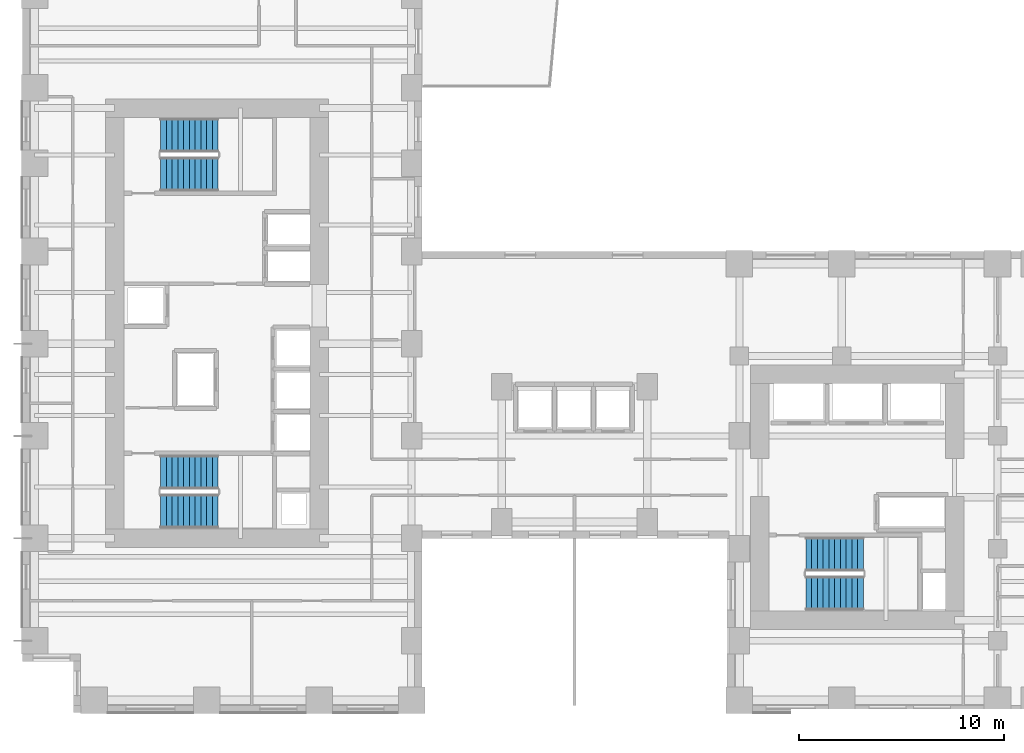
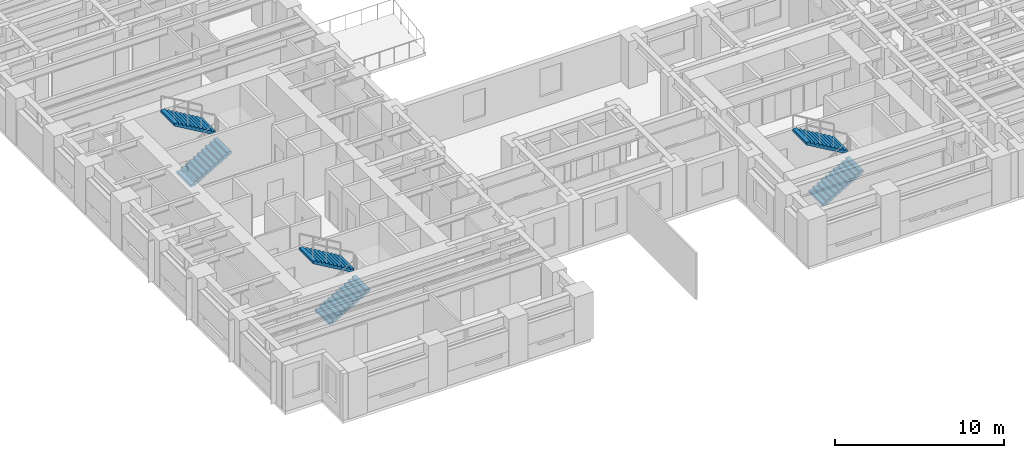
# One storey, part 10 of 12: 6 stair flights, 3 elements without a shape of their own.
"""IFC4 building model written with IfcOpenShell, lengths in metres."""

from ifc_helpers import new_model, si_unit, direction, frame, origin, place, context, subcontext, project, spatial, polyline, outline, extrude, source, transform, mapped, material, type_object, element, aggregate, save


model = new_model("IFC4")

# Units and contexts
model_context = context("Model", 3, precision=1e-05, world=origin(), true_north=direction((0.0, 1.0)))
body_context = subcontext(model_context, "Body", "Model", "MODEL_VIEW")
ifc_project = project(units=[si_unit("LENGTHUNIT", "METRE"), si_unit("AREAUNIT", "SQUARE_METRE"), si_unit("VOLUMEUNIT", "CUBIC_METRE"), si_unit("PLANEANGLEUNIT", "RADIAN"), si_unit("MASSUNIT", "GRAM", prefix="KILO")], contexts=[model_context])

# Site, building, storey
site_placement = place(None, origin())
site = spatial("IfcSite", under=ifc_project, at=site_placement, CompositionType="ELEMENT")
building_placement = place(site_placement, origin())
building = spatial("IfcBuilding", under=site, at=building_placement, Name="Kharzan Plaza Tower", CompositionType="ELEMENT")
storey_placement = place(building_placement, frame((0.0, 0.0, 26.10009765625)))
storey = spatial("IfcBuildingStorey", under=building, at=storey_placement, Name="L06", CompositionType="ELEMENT", Elevation=26.10009765625)

# Stair, stair flights
ifc_material = material(Name="Concrete C40/50", Category="concrete")
stair_type_1 = type_object("IfcStairType", Name="STR-ST-1", PredefinedType="HALF_TURN_STAIR", material=ifc_material)
stair_1_placement = place(storey_placement, origin())
stair_1 = element("IfcStair", 1, at=stair_1_placement, inside=storey, type_object=stair_type_1, Name="L06 Protected Exit Stair ST-1", PredefinedType="HALF_TURN_STAIR")
stair_flight_type = type_object("IfcStairFlightType", Name="SFL-1650-R173", PredefinedType="STRAIGHT", material=ifc_material)
shared_shape = source(origin(), body_context, "Body", "SweptSolid", [
    extrude(outline(polyline([(-0.0029296875, -0.011962890625), (-0.0029296875, 0.0), (0.0, 0.0), (0.0, 0.16357421875), (0.280029296875, 0.16357421875), (0.280029296875, 0.3271484375), (0.56005859375, 0.3271484375), (0.56005859375, 0.49072265625), (0.840087890625, 0.49072265625), (0.840087890625, 0.654296875), (1.1201171875, 0.654296875), (1.1201171875, 0.81787109375), (1.400146484375, 0.81787109375), (1.400146484375, 0.9814453125), (1.68017578125, 0.9814453125), (1.68017578125, 1.14501953125), (1.960205078125, 1.14501953125), (1.960205078125, 1.30859375), (2.240234375, 1.30859375), (2.240234375, 1.47216796875), (2.520263671875, 1.47216796875), (2.520263671875, 1.6357421875), (2.80029296875, 1.6357421875), (2.80029296875, 1.79931640625), (2.80029296875, 1.462158203125), (0.297119140625, 0.0), (0.297119140625, -0.011962890625), (-0.0029296875, -0.011962890625)])), frame((0.0, 0.824951171875, 0.0), z_axis=(0.0, -1.0, 0.0), x_axis=(1.0, 0.0, 0.0)), (0.0, 0.0, 1.0), 1.64990234375),
])
stair_flight_1_placement = place(storey_placement, frame((6.75, 9.824951171875, 0.0), z_axis=(0.0, 0.0, 1.0), x_axis=(1.0, 0.0, 0.0)))
stair_flight_1 = element("IfcStairFlight", 2, at=stair_flight_1_placement, type_object=stair_flight_type, Name="ST-1 flight 1", NumberOfRisers=11, NumberOfTreads=10, PredefinedType="STRAIGHT", RiserHeight=0.163636364, TreadLength=0.28, context=body_context, shape_type="MappedRepresentation", body=[
    mapped(shared_shape, transform((0.0, 0.0, 0.0), x_axis=(1.0, 0.0, 0.0), y_axis=(0.0, 1.0, 0.0), z_axis=(0.0, 0.0, 1.0))),
])
stair_flight_2_placement = place(storey_placement, frame((9.550048828125, 11.72509765625, 1.7998046875), z_axis=(0.0, 0.0, 1.0), x_axis=(-1.0, 0.0, 0.0)))
stair_flight_2 = element("IfcStairFlight", 3, at=stair_flight_2_placement, type_object=stair_flight_type, Name="ST-1 flight 2", NumberOfRisers=11, NumberOfTreads=10, PredefinedType="STRAIGHT", RiserHeight=0.163636364, TreadLength=0.28, context=body_context, shape_type="MappedRepresentation", body=[
    mapped(shared_shape, transform((0.0, 0.0, 0.0), x_axis=(1.0, 0.0, 0.0), y_axis=(0.0, 1.0, 0.0), z_axis=(0.0, 0.0, 1.0))),
])
aggregate(stair_1, [stair_flight_1, stair_flight_2])

stair_type_2 = type_object("IfcStairType", Name="STR-ST-2", PredefinedType="HALF_TURN_STAIR", material=ifc_material)
stair_2_placement = place(storey_placement, origin())
stair_2 = element("IfcStair", 4, at=stair_2_placement, inside=storey, type_object=stair_type_2, Name="L06 Protected Exit Stair ST-2", PredefinedType="HALF_TURN_STAIR")
stair_flight_3_placement = place(storey_placement, frame((6.75, 26.27490234375, 0.0), z_axis=(0.0, 0.0, 1.0), x_axis=(1.0, 0.0, 0.0)))
stair_flight_3 = element("IfcStairFlight", 5, at=stair_flight_3_placement, type_object=stair_flight_type, Name="ST-2 flight 1", NumberOfRisers=11, NumberOfTreads=10, PredefinedType="STRAIGHT", RiserHeight=0.163636364, TreadLength=0.28, context=body_context, shape_type="MappedRepresentation", body=[
    mapped(shared_shape, transform((0.0, 0.0, 0.0), x_axis=(1.0, 0.0, 0.0), y_axis=(0.0, 1.0, 0.0), z_axis=(0.0, 0.0, 1.0))),
])
stair_flight_4_placement = place(storey_placement, frame((9.550048828125, 28.175048828125, 1.7998046875), z_axis=(0.0, 0.0, 1.0), x_axis=(-1.0, 0.0, 0.0)))
stair_flight_4 = element("IfcStairFlight", 6, at=stair_flight_4_placement, type_object=stair_flight_type, Name="ST-2 flight 2", NumberOfRisers=11, NumberOfTreads=10, PredefinedType="STRAIGHT", RiserHeight=0.163636364, TreadLength=0.28, context=body_context, shape_type="MappedRepresentation", body=[
    mapped(shared_shape, transform((0.0, 0.0, 0.0), x_axis=(1.0, 0.0, 0.0), y_axis=(0.0, 1.0, 0.0), z_axis=(0.0, 0.0, 1.0))),
])
aggregate(stair_2, [stair_flight_3, stair_flight_4])

stair_type_3 = type_object("IfcStairType", Name="STR-ST-3", PredefinedType="HALF_TURN_STAIR", material=ifc_material)
stair_3_placement = place(storey_placement, origin())
stair_3 = element("IfcStair", 7, at=stair_3_placement, inside=storey, type_object=stair_type_3, Name="L06 Protected Exit Stair ST-3", PredefinedType="HALF_TURN_STAIR")
stair_flight_5_placement = place(storey_placement, frame((38.25, 5.824951171875, 0.0), z_axis=(0.0, 0.0, 1.0), x_axis=(1.0, 0.0, 0.0)))
stair_flight_5 = element("IfcStairFlight", 8, at=stair_flight_5_placement, type_object=stair_flight_type, Name="ST-3 flight 1", NumberOfRisers=11, NumberOfTreads=10, PredefinedType="STRAIGHT", RiserHeight=0.163636364, TreadLength=0.28, context=body_context, shape_type="MappedRepresentation", body=[
    mapped(shared_shape, transform((0.0, 0.0, 0.0), x_axis=(1.0, 0.0, 0.0), y_axis=(0.0, 1.0, 0.0), z_axis=(0.0, 0.0, 1.0))),
])
stair_flight_6_placement = place(storey_placement, frame((41.050048828125, 7.72509765625, 1.7998046875), z_axis=(0.0, 0.0, 1.0), x_axis=(-1.0, 0.0, 0.0)))
stair_flight_6 = element("IfcStairFlight", 9, at=stair_flight_6_placement, type_object=stair_flight_type, Name="ST-3 flight 2", NumberOfRisers=11, NumberOfTreads=10, PredefinedType="STRAIGHT", RiserHeight=0.163636364, TreadLength=0.28, context=body_context, shape_type="MappedRepresentation", body=[
    mapped(shared_shape, transform((0.0, 0.0, 0.0), x_axis=(1.0, 0.0, 0.0), y_axis=(0.0, 1.0, 0.0), z_axis=(0.0, 0.0, 1.0))),
])
aggregate(stair_3, [stair_flight_5, stair_flight_6])

save(model, "model.ifc")
